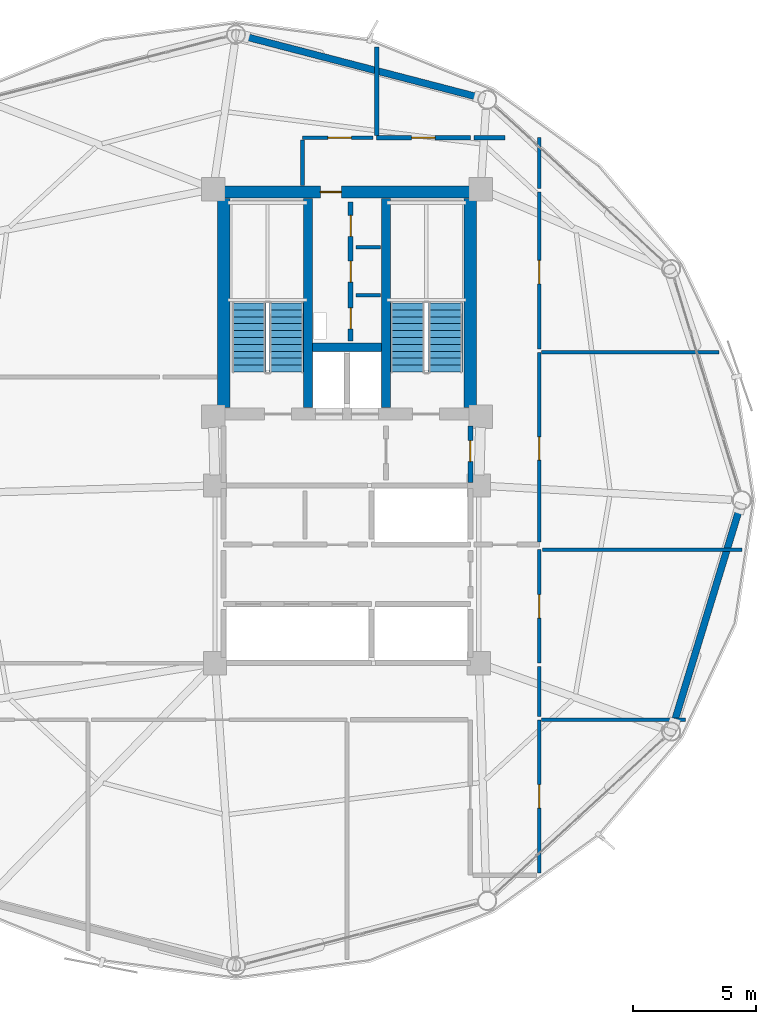
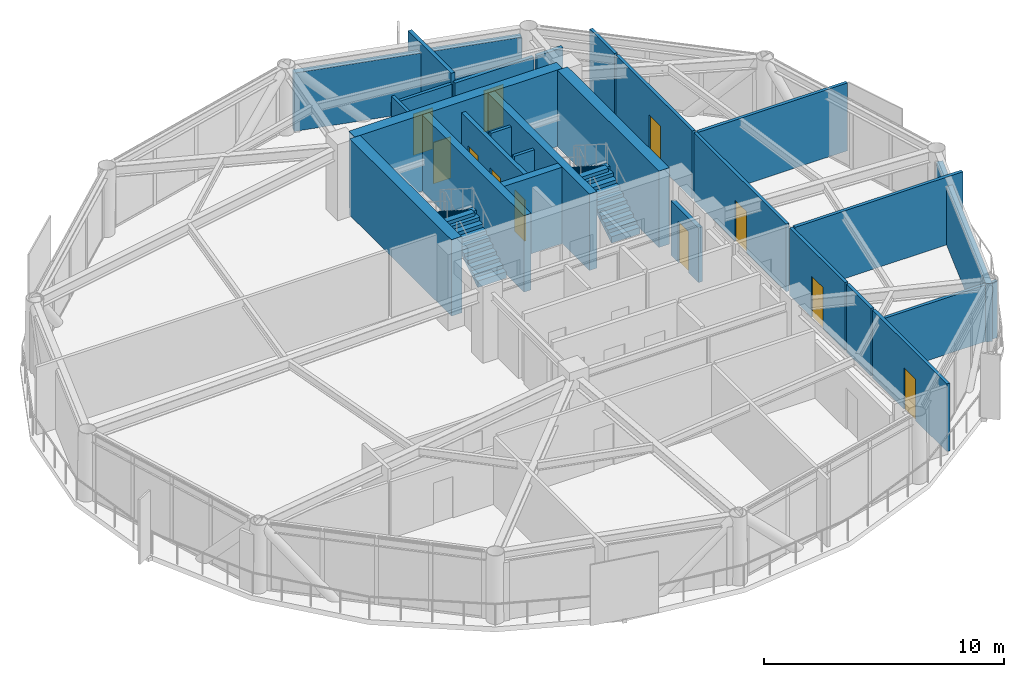
# One storey, part 22 of 26: 26 walls, 11 doors, 4 stair flights, 11 openings, 2 elements without a shape of their own.
"""IFC4 building model written with IfcOpenShell, lengths in metres."""

from ifc_helpers import new_model, si_unit, direction, frame, frame_2d, origin, place, context, subcontext, project, spatial, polyline, rectangle, outline, extrude, material, layer, layer_set, type_object, element, fill, aggregate, save


model = new_model("IFC4")

# Units and contexts
model_context = context("Model", 3, precision=1e-05, world=origin(), true_north=direction((0.0, 1.0)))
body_context = subcontext(model_context, "Body", "Model", "MODEL_VIEW")
ifc_project = project(units=[si_unit("LENGTHUNIT", "METRE"), si_unit("AREAUNIT", "SQUARE_METRE"), si_unit("VOLUMEUNIT", "CUBIC_METRE"), si_unit("PLANEANGLEUNIT", "RADIAN"), si_unit("MASSUNIT", "GRAM", prefix="KILO")], contexts=[model_context])

# Site, building, storey
site_placement = place(None, origin())
site = spatial("IfcSite", under=ifc_project, at=site_placement, CompositionType="ELEMENT")
building_placement = place(site_placement, origin())
building = spatial("IfcBuilding", under=site, at=building_placement, Name="Varnakorn Sky Granary", CompositionType="ELEMENT")
storey_placement = place(building_placement, frame((0.0, 0.0, 165.60009765625)))
storey = spatial("IfcBuildingStorey", under=building, at=storey_placement, Name="L41", CompositionType="ELEMENT", Elevation=165.60009765625)

# Walls
ifc_material_1 = material(Name="Concrete C50/60", Category="concrete")
ifc_layer_1 = layer(ifc_material_1, 0.35009765625, Name="Concrete C50/60")
ifc_layer_set_1 = layer_set([ifc_layer_1], Name="Concrete C50/60")
wall_type_1 = type_object("IfcWallType", Name="WT-CW-INT-350", PredefinedType="SHEAR", material=ifc_layer_set_1)
for number, where, z_axis, x_axis, name in (
    (1, (1.419921875, 3.760009765625, 0.0), (0.0, 0.0, 1.0), (0.0, 1.0, 0.0), "Stair ST-1 Core Wall L41"),
    (2, (4.580078125, 3.760009765625, 0.0), (0.0, 0.0, 1.0), (0.0, 1.0, 0.0), "Stair ST-2 Core Wall L41"),
):
    element("IfcWall", number, at=place(storey_placement, frame(where, z_axis=z_axis, x_axis=x_axis)), inside=storey, type_object=wall_type_1, Name=name, PredefinedType="SHEAR", context=body_context, shape_type="SweptSolid", body=[
        extrude(rectangle(XDim=8.47998046875, YDim=0.35009765625, at=frame_2d((4.239990234375, 0.0))), origin(), (0.0, 0.0, 1.0), 3.891845703125),
    ])
wall_1_placement = place(storey_placement, frame((1.610107421875, 6.199951171875, 0.0), z_axis=(0.0, 0.0, 1.0), x_axis=(1.0, 0.0, 0.0)))
element("IfcWall", 3, at=wall_1_placement, inside=storey, type_object=wall_type_1, Name="Core Lift Shaft Cross Wall L41", PredefinedType="SHEAR", context=body_context, shape_type="SweptSolid", body=[
    extrude(rectangle(XDim=2.77978515625, YDim=0.35009765625, at=frame_2d((1.389892578125, 0.0))), origin(), (0.0, 0.0, 1.0), 3.891845703125),
])

# Wall, opening, door
ifc_material_2 = material(Name="Concrete C60/75", Category="concrete")
ifc_layer_2 = layer(ifc_material_2, 0.5, Name="Concrete C60/75")
ifc_layer_set_2 = layer_set([ifc_layer_2], Name="Concrete C60/75")
wall_type_2 = type_object("IfcWallType", Name="WT-CW-SHEAR-500", PredefinedType="SHEAR", material=ifc_layer_set_2)
wall_2_placement = place(storey_placement, frame((-2.0, 12.5, 0.0), z_axis=(0.0, 0.0, 1.0), x_axis=(1.0, 0.0, 0.0)))
wall_2 = element("IfcWall", 4, at=wall_2_placement, inside=storey, type_object=wall_type_2, Name="Core North Shear Wall L41", PredefinedType="SHEAR", context=body_context, shape_type="SweptSolid", body=[
    extrude(rectangle(XDim=10.0, YDim=0.5, at=frame_2d((5.0, 0.0))), origin(), (0.0, 0.0, 1.0), 3.891845703125),
])
opening_1_placement = place(wall_2_placement, frame((3.919921875, 0.0, 0.0)))
opening_1 = element("IfcOpeningElement", 5, at=opening_1_placement, cuts=wall_2, Name="Opening FD-60N", PredefinedType="OPENING", context=body_context, shape_type="SweptSolid", body=[
    extrude(rectangle(XDim=0.85009765625, YDim=2.10009765625, at=frame_2d((0.425048828125, 1.050048828125))), frame((0.0, 0.260009765625, 0.0), z_axis=(0.0, -1.0, 0.0), x_axis=(1.0, 0.0, 0.0)), (0.0, 0.0, 1.0), 0.52001953125),
])
ifc_material_3 = material(Name="Acoustic Timber Fire Leaf", Category="wood")
door_type_1 = type_object("IfcDoorType", Name="DR-FD60-850", OperationType="NOTDEFINED", PredefinedType="DOOR", material=ifc_material_3)
door_1_placement = place(opening_1_placement, origin())
door_1 = element("IfcDoor", 6, at=door_1_placement, inside=storey, type_object=door_type_1, Name="Core North Service Door L41", OperationType="SINGLE_SWING_LEFT", OverallHeight=2.10009765625, OverallWidth=0.85009765625, PredefinedType="DOOR", context=body_context, shape_type="SweptSolid", body=[
    extrude(rectangle(XDim=0.85009765625, YDim=2.10009765625, at=frame_2d((0.425048828125, 1.050048828125))), frame((0.0, 0.02490234375, 0.0), z_axis=(0.0, -1.0, 0.0), x_axis=(1.0, 0.0, 0.0)), (0.0, 0.0, 1.0), 0.050048828125),
])
fill(opening_1, door_1)

# Walls
for number, where, z_axis, x_axis, name in (
    (7, (-2.0, 3.760009765625, 0.0), (0.0, 0.0, 1.0), (0.0, 1.0, 0.0), "Core West Shear Wall L41"),
    (8, (8.0, 3.760009765625, 0.0), (0.0, 0.0, 1.0), (0.0, 1.0, 0.0), "Core East Shear Wall L41"),
):
    element("IfcWall", number, at=place(storey_placement, frame(where, z_axis=z_axis, x_axis=x_axis)), inside=storey, type_object=wall_type_2, Name=name, PredefinedType="SHEAR", context=body_context, shape_type="SweptSolid", body=[
        extrude(rectangle(XDim=8.47998046875, YDim=0.5, at=frame_2d((4.239990234375, 0.0))), origin(), (0.0, 0.0, 1.0), 3.891845703125),
    ])
ifc_material_4 = material(Name="Precast concrete C40/50", Category="concrete")
ifc_layer_3 = layer(ifc_material_4, 0.280029296875, Name="Precast concrete C40/50")
ifc_layer_set_3 = layer_set([ifc_layer_3], Name="Precast concrete C40/50")
wall_type_3 = type_object("IfcWallType", Name="WT-EW-CRN-280", PredefinedType="SOLIDWALL", material=ifc_layer_set_3)
wall_3_placement = place(storey_placement, frame((-1.1748046875, 18.8134765625, 0.0), z_axis=(0.0, 0.0, 1.0), x_axis=(0.967842287651, -0.251557759242, 0.0)))
element("IfcWall", 9, at=wall_3_placement, inside=storey, type_object=wall_type_3, Name="Agritech Insulated Precast Facade Wall L41-P03", PredefinedType="SOLIDWALL", context=body_context, shape_type="SweptSolid", body=[
    extrude(rectangle(XDim=9.857421875, YDim=0.280029296875, at=frame_2d((4.9287109375, 0.0))), origin(), (0.0, 0.0, 1.0), 2.969970703125),
])
wall_4_placement = place(storey_placement, frame((18.918701171875, -0.3212890625, 0.0), z_axis=(0.0, 0.0, 1.0), x_axis=(-0.292111961986, -0.956384128719, 0.0)))
element("IfcWall", 10, at=wall_4_placement, inside=storey, type_object=wall_type_3, Name="Agritech Insulated Precast Facade Wall L41-P12", PredefinedType="SOLIDWALL", context=body_context, shape_type="SweptSolid", body=[
    extrude(rectangle(XDim=9.137451171875, YDim=0.280029296875, at=frame_2d((4.56884765625, 0.0))), origin(), (0.0, 0.0, 1.0), 2.969970703125),
])

# Wall, openings, doors
ifc_material_5 = material(Name="Autoclaved Aerated Concrete Blockwork", Category="masonry")
ifc_layer_4 = layer(ifc_material_5, 0.199951171875, Name="Autoclaved Aerated Concrete Blockwork")
ifc_layer_set_4 = layer_set([ifc_layer_4], Name="Autoclaved Aerated Concrete Blockwork")
wall_type_4 = type_object("IfcWallType", Name="WT-FIRE-200", PredefinedType="MOVABLE", material=ifc_layer_set_4)
wall_5_placement = place(storey_placement, frame((3.14990234375, 6.449951171875, 0.0), z_axis=(0.0, 0.0, 1.0), x_axis=(0.0, 1.0, 0.0)))
wall_5 = element("IfcWall", 11, at=wall_5_placement, inside=storey, type_object=wall_type_4, Name="Interior Partition Wall L41-013", PredefinedType="MOVABLE", context=body_context, shape_type="SweptSolid", body=[
    extrude(rectangle(XDim=5.650146484375, YDim=0.199951171875, at=frame_2d((2.8251953125, 0.0))), origin(), (0.0, 0.0, 1.0), 3.449951171875),
])
opening_2_placement = place(wall_5_placement, frame((0.5, 0.0, 0.0)))
opening_2 = element("IfcOpeningElement", 12, at=opening_2_placement, cuts=wall_5, Name="Opening FD-60N", PredefinedType="OPENING", context=body_context, shape_type="SweptSolid", body=[
    extrude(rectangle(XDim=0.85009765625, YDim=2.10009765625, at=frame_2d((0.425048828125, 1.050048828125))), frame((0.0, 0.10986328125, 0.0), z_axis=(0.0, -1.0, 0.0), x_axis=(1.0, 0.0, 0.0)), (0.0, 0.0, 1.0), 0.219970703125),
])
opening_3_placement = place(wall_5_placement, frame((2.39990234375, 0.0, 0.0)))
opening_3 = element("IfcOpeningElement", 13, at=opening_3_placement, cuts=wall_5, Name="Opening FD-60N", PredefinedType="OPENING", context=body_context, shape_type="SweptSolid", body=[
    extrude(rectangle(XDim=0.85009765625, YDim=2.10009765625, at=frame_2d((0.425048828125, 1.050048828125))), frame((0.0, 0.10986328125, 0.0), z_axis=(0.0, -1.0, 0.0), x_axis=(1.0, 0.0, 0.0)), (0.0, 0.0, 1.0), 0.219970703125),
])
opening_4_placement = place(wall_5_placement, frame((4.25, 0.0, 0.0)))
opening_4 = element("IfcOpeningElement", 14, at=opening_4_placement, cuts=wall_5, Name="Opening FD-60N", PredefinedType="OPENING", context=body_context, shape_type="SweptSolid", body=[
    extrude(rectangle(XDim=0.85009765625, YDim=2.10009765625, at=frame_2d((0.425048828125, 1.050048828125))), frame((0.0, 0.10986328125, 0.0), z_axis=(0.0, -1.0, 0.0), x_axis=(1.0, 0.0, 0.0)), (0.0, 0.0, 1.0), 0.219970703125),
])
door_2_placement = place(opening_2_placement, origin())
door_2 = element("IfcDoor", 15, at=door_2_placement, inside=storey, type_object=door_type_1, Name="Interior Door L41-013-1", OperationType="SINGLE_SWING_LEFT", OverallHeight=2.10009765625, OverallWidth=0.85009765625, PredefinedType="DOOR", context=body_context, shape_type="SweptSolid", body=[
    extrude(rectangle(XDim=0.85009765625, YDim=2.10009765625, at=frame_2d((0.425048828125, 1.050048828125))), frame((0.0, 0.02490234375, 0.0), z_axis=(0.0, -1.0, 0.0), x_axis=(1.0, 0.0, 0.0)), (0.0, 0.0, 1.0), 0.050048828125),
])
fill(opening_2, door_2)
door_3_placement = place(opening_3_placement, origin())
door_3 = element("IfcDoor", 16, at=door_3_placement, inside=storey, type_object=door_type_1, Name="Interior Door L41-013-2", OperationType="SINGLE_SWING_RIGHT", OverallHeight=2.10009765625, OverallWidth=0.85009765625, PredefinedType="DOOR", context=body_context, shape_type="SweptSolid", body=[
    extrude(rectangle(XDim=0.85009765625, YDim=2.10009765625, at=frame_2d((0.425048828125, 1.050048828125))), frame((0.0, 0.02490234375, 0.0), z_axis=(0.0, -1.0, 0.0), x_axis=(1.0, 0.0, 0.0)), (0.0, 0.0, 1.0), 0.050048828125),
])
fill(opening_3, door_3)
door_4_placement = place(opening_4_placement, origin())
door_4 = element("IfcDoor", 17, at=door_4_placement, inside=storey, type_object=door_type_1, Name="Interior Door L41-013-3", OperationType="SINGLE_SWING_LEFT", OverallHeight=2.10009765625, OverallWidth=0.85009765625, PredefinedType="DOOR", context=body_context, shape_type="SweptSolid", body=[
    extrude(rectangle(XDim=0.85009765625, YDim=2.10009765625, at=frame_2d((0.425048828125, 1.050048828125))), frame((0.0, 0.02490234375, 0.0), z_axis=(0.0, -1.0, 0.0), x_axis=(1.0, 0.0, 0.0)), (0.0, 0.0, 1.0), 0.050048828125),
])
fill(opening_4, door_4)

# Wall, opening, door
wall_6_placement = place(storey_placement, frame((8.0, 0.719970703125, 0.0), z_axis=(0.0, 0.0, 1.0), x_axis=(0.0, 1.0, 0.0)))
wall_6 = element("IfcWall", 18, at=wall_6_placement, inside=storey, type_object=wall_type_4, Name="Interior Partition Wall L41-015", PredefinedType="MOVABLE", context=body_context, shape_type="SweptSolid", body=[
    extrude(rectangle(XDim=2.300048828125, YDim=0.199951171875, at=frame_2d((1.14990234375, 0.0))), origin(), (0.0, 0.0, 1.0), 2.781982421875),
])
opening_5_placement = place(wall_6_placement, frame((0.844970703125, 0.0, 0.0)))
opening_5 = element("IfcOpeningElement", 19, at=opening_5_placement, cuts=wall_6, Name="Opening FD-60N", PredefinedType="OPENING", context=body_context, shape_type="SweptSolid", body=[
    extrude(rectangle(XDim=0.85009765625, YDim=2.10009765625, at=frame_2d((0.425048828125, 1.050048828125))), frame((0.0, 0.10986328125, 0.0), z_axis=(0.0, -1.0, 0.0), x_axis=(1.0, 0.0, 0.0)), (0.0, 0.0, 1.0), 0.219970703125),
])
door_5_placement = place(opening_5_placement, origin())
door_5 = element("IfcDoor", 20, at=door_5_placement, inside=storey, type_object=door_type_1, Name="Interior Door L41-015-1", OperationType="SINGLE_SWING_LEFT", OverallHeight=2.10009765625, OverallWidth=0.85009765625, PredefinedType="DOOR", context=body_context, shape_type="SweptSolid", body=[
    extrude(rectangle(XDim=0.85009765625, YDim=2.10009765625, at=frame_2d((0.425048828125, 1.050048828125))), frame((0.0, 0.02490234375, 0.0), z_axis=(0.0, -1.0, 0.0), x_axis=(1.0, 0.0, 0.0)), (0.0, 0.0, 1.0), 0.050048828125),
])
fill(opening_5, door_5)

ifc_material_6 = material(Name="Gypsum Plasterboard on Steel Stud", Category="steel")
ifc_layer_5 = layer(ifc_material_6, 0.14990234375, Name="Gypsum Plasterboard on Steel Stud")
ifc_layer_set_5 = layer_set([ifc_layer_5], Name="Gypsum Plasterboard on Steel Stud")
wall_type_5 = type_object("IfcWallType", Name="WT-PART-150", PredefinedType="PARTITIONING", material=ifc_layer_set_5)
wall_7_placement = place(storey_placement, frame((10.800048828125, -15.111083984375, 0.0), z_axis=(0.0, 0.0, 1.0), x_axis=(0.0, 1.0, 0.0)))
wall_7 = element("IfcWall", 21, at=wall_7_placement, inside=storey, type_object=wall_type_5, Name="Interior Partition Wall L41-023", PredefinedType="PARTITIONING", context=body_context, shape_type="SweptSolid", body=[
    extrude(rectangle(XDim=6.211181640625, YDim=0.14990234375, at=frame_2d((3.10546875, 0.0))), origin(), (0.0, 0.0, 1.0), 3.449951171875),
])
opening_6_placement = place(wall_7_placement, frame((2.6298828125, 0.0, 0.0)))
opening_6 = element("IfcOpeningElement", 22, at=opening_6_placement, cuts=wall_7, Name="Opening ID-95", PredefinedType="OPENING", context=body_context, shape_type="SweptSolid", body=[
    extrude(rectangle(XDim=0.949951171875, YDim=2.10009765625, at=frame_2d((0.47509765625, 1.050048828125))), frame((0.0, 0.0849609375, 0.0), z_axis=(0.0, -1.0, 0.0), x_axis=(1.0, 0.0, 0.0)), (0.0, 0.0, 1.0), 0.169921875),
])
ifc_material_7 = material(Name="Solid-Core Teak Veneer Leaf", Category="timber")
door_type_2 = type_object("IfcDoorType", Name="DR-INT-950", OperationType="NOTDEFINED", PredefinedType="DOOR", material=ifc_material_7)
door_6_placement = place(opening_6_placement, origin())
door_6 = element("IfcDoor", 23, at=door_6_placement, inside=storey, type_object=door_type_2, Name="Interior Door L41-023-1", OperationType="SINGLE_SWING_RIGHT", OverallHeight=2.10009765625, OverallWidth=0.949951171875, PredefinedType="DOOR", context=body_context, shape_type="SweptSolid", body=[
    extrude(rectangle(XDim=0.949951171875, YDim=2.10009765625, at=frame_2d((0.47509765625, 1.050048828125))), frame((0.0, 0.02490234375, 0.0), z_axis=(0.0, -1.0, 0.0), x_axis=(1.0, 0.0, 0.0)), (0.0, 0.0, 1.0), 0.050048828125),
])
fill(opening_6, door_6)

wall_8_placement = place(storey_placement, frame((4.050048828125, 14.699951171875, 0.0), z_axis=(0.0, 0.0, 1.0), x_axis=(-1.0, 0.0, 0.0)))
wall_8 = element("IfcWall", 24, at=wall_8_placement, inside=storey, type_object=wall_type_5, Name="Interior Partition Wall L41-025", PredefinedType="PARTITIONING", context=body_context, shape_type="SweptSolid", body=[
    extrude(rectangle(XDim=2.85009765625, YDim=0.14990234375, at=frame_2d((1.425048828125, 0.0))), origin(), (0.0, 0.0, 1.0), 3.031982421875),
])
opening_7_placement = place(wall_8_placement, frame((0.875, 0.0, 0.0)))
opening_7 = element("IfcOpeningElement", 25, at=opening_7_placement, cuts=wall_8, Name="Opening ID-95", PredefinedType="OPENING", context=body_context, shape_type="SweptSolid", body=[
    extrude(rectangle(XDim=0.949951171875, YDim=2.10009765625, at=frame_2d((0.47509765625, 1.050048828125))), frame((0.0, 0.0849609375, 0.0), z_axis=(0.0, -1.0, 0.0), x_axis=(1.0, 0.0, 0.0)), (0.0, 0.0, 1.0), 0.169921875),
])
door_7_placement = place(opening_7_placement, origin())
door_7 = element("IfcDoor", 26, at=door_7_placement, inside=storey, type_object=door_type_2, Name="Interior Door L41-025-1", OperationType="SINGLE_SWING_RIGHT", OverallHeight=2.10009765625, OverallWidth=0.949951171875, PredefinedType="DOOR", context=body_context, shape_type="SweptSolid", body=[
    extrude(rectangle(XDim=0.949951171875, YDim=2.10009765625, at=frame_2d((0.47509765625, 1.050048828125))), frame((0.0, 0.02490234375, 0.0), z_axis=(0.0, -1.0, 0.0), x_axis=(1.0, 0.0, 0.0)), (0.0, 0.0, 1.0), 0.050048828125),
])
fill(opening_7, door_7)

wall_9_placement = place(storey_placement, frame((10.800048828125, -6.60009765625, 0.0), z_axis=(0.0, 0.0, 1.0), x_axis=(0.0, 1.0, 0.0)))
wall_9 = element("IfcWall", 27, at=wall_9_placement, inside=storey, type_object=wall_type_5, Name="Interior Partition Wall L41-026", PredefinedType="PARTITIONING", context=body_context, shape_type="SweptSolid", body=[
    extrude(rectangle(XDim=4.60009765625, YDim=0.14990234375, at=frame_2d((2.300048828125, 0.0))), origin(), (0.0, 0.0, 1.0), 3.449951171875),
])
opening_8_placement = place(wall_9_placement, frame((1.824951171875, 0.0, 0.0)))
opening_8 = element("IfcOpeningElement", 28, at=opening_8_placement, cuts=wall_9, Name="Opening ID-95", PredefinedType="OPENING", context=body_context, shape_type="SweptSolid", body=[
    extrude(rectangle(XDim=0.949951171875, YDim=2.10009765625, at=frame_2d((0.47509765625, 1.050048828125))), frame((0.0, 0.0849609375, 0.0), z_axis=(0.0, -1.0, 0.0), x_axis=(1.0, 0.0, 0.0)), (0.0, 0.0, 1.0), 0.169921875),
])
door_8_placement = place(opening_8_placement, origin())
door_8 = element("IfcDoor", 29, at=door_8_placement, inside=storey, type_object=door_type_2, Name="Interior Door L41-026-1", OperationType="SINGLE_SWING_LEFT", OverallHeight=2.10009765625, OverallWidth=0.949951171875, PredefinedType="DOOR", context=body_context, shape_type="SweptSolid", body=[
    extrude(rectangle(XDim=0.949951171875, YDim=2.10009765625, at=frame_2d((0.47509765625, 1.050048828125))), frame((0.0, 0.02490234375, 0.0), z_axis=(0.0, -1.0, 0.0), x_axis=(1.0, 0.0, 0.0)), (0.0, 0.0, 1.0), 0.050048828125),
])
fill(opening_8, door_8)

wall_10_placement = place(storey_placement, frame((10.800048828125, -1.68994140625, 0.0), z_axis=(0.0, 0.0, 1.0), x_axis=(0.0, 1.0, 0.0)))
wall_10 = element("IfcWall", 30, at=wall_10_placement, inside=storey, type_object=wall_type_5, Name="Interior Partition Wall L41-027", PredefinedType="PARTITIONING", context=body_context, shape_type="SweptSolid", body=[
    extrude(rectangle(XDim=7.68994140625, YDim=0.14990234375, at=frame_2d((3.844970703125, 0.0))), origin(), (0.0, 0.0, 1.0), 3.449951171875),
])
opening_9_placement = place(wall_10_placement, frame((3.31494140625, 0.0, 0.0)))
opening_9 = element("IfcOpeningElement", 31, at=opening_9_placement, cuts=wall_10, Name="Opening ID-95", PredefinedType="OPENING", context=body_context, shape_type="SweptSolid", body=[
    extrude(rectangle(XDim=0.949951171875, YDim=2.10009765625, at=frame_2d((0.47509765625, 1.050048828125))), frame((0.0, 0.0849609375, 0.0), z_axis=(0.0, -1.0, 0.0), x_axis=(1.0, 0.0, 0.0)), (0.0, 0.0, 1.0), 0.169921875),
])
door_9_placement = place(opening_9_placement, origin())
door_9 = element("IfcDoor", 32, at=door_9_placement, inside=storey, type_object=door_type_2, Name="Interior Door L41-027-1", OperationType="SINGLE_SWING_RIGHT", OverallHeight=2.10009765625, OverallWidth=0.949951171875, PredefinedType="DOOR", context=body_context, shape_type="SweptSolid", body=[
    extrude(rectangle(XDim=0.949951171875, YDim=2.10009765625, at=frame_2d((0.47509765625, 1.050048828125))), frame((0.0, 0.02490234375, 0.0), z_axis=(0.0, -1.0, 0.0), x_axis=(1.0, 0.0, 0.0)), (0.0, 0.0, 1.0), 0.050048828125),
])
fill(opening_9, door_9)

wall_11_placement = place(storey_placement, frame((10.800048828125, 6.135009765625, 0.0), z_axis=(0.0, 0.0, 1.0), x_axis=(0.0, 1.0, 0.0)))
wall_11 = element("IfcWall", 33, at=wall_11_placement, inside=storey, type_object=wall_type_5, Name="Interior Partition Wall L41-028", PredefinedType="PARTITIONING", context=body_context, shape_type="SweptSolid", body=[
    extrude(rectangle(XDim=6.364990234375, YDim=0.14990234375, at=frame_2d((3.1826171875, 0.0))), origin(), (0.0, 0.0, 1.0), 3.449951171875),
])
opening_10_placement = place(wall_11_placement, frame((2.639892578125, 0.0, 0.0)))
opening_10 = element("IfcOpeningElement", 34, at=opening_10_placement, cuts=wall_11, Name="Opening ID-95", PredefinedType="OPENING", context=body_context, shape_type="SweptSolid", body=[
    extrude(rectangle(XDim=0.949951171875, YDim=2.10009765625, at=frame_2d((0.47509765625, 1.050048828125))), frame((0.0, 0.0849609375, 0.0), z_axis=(0.0, -1.0, 0.0), x_axis=(1.0, 0.0, 0.0)), (0.0, 0.0, 1.0), 0.169921875),
])
door_10_placement = place(opening_10_placement, origin())
door_10 = element("IfcDoor", 35, at=door_10_placement, inside=storey, type_object=door_type_2, Name="Interior Door L41-028-1", OperationType="SINGLE_SWING_LEFT", OverallHeight=2.10009765625, OverallWidth=0.949951171875, PredefinedType="DOOR", context=body_context, shape_type="SweptSolid", body=[
    extrude(rectangle(XDim=0.949951171875, YDim=2.10009765625, at=frame_2d((0.47509765625, 1.050048828125))), frame((0.0, 0.02490234375, 0.0), z_axis=(0.0, -1.0, 0.0), x_axis=(1.0, 0.0, 0.0)), (0.0, 0.0, 1.0), 0.050048828125),
])
fill(opening_10, door_10)

# Walls
for number, where, z_axis, x_axis, name in (
    (36, (3.3701171875, 8.320068359375, 0.0), (0.0, 0.0, 1.0), (1.0, 0.0, 0.0), "Interior Partition Wall L41-029"),
    (37, (3.3701171875, 10.260009765625, 0.0), (0.0, 0.0, 1.0), (1.0, 0.0, 0.0), "Interior Partition Wall L41-030"),
):
    element("IfcWall", number, at=place(storey_placement, frame(where, z_axis=z_axis, x_axis=x_axis)), inside=storey, type_object=wall_type_5, Name=name, PredefinedType="PARTITIONING", context=body_context, shape_type="SweptSolid", body=[
        extrude(rectangle(XDim=0.97998046875, YDim=0.14990234375, at=frame_2d((0.489990234375, 0.0))), origin(), (0.0, 0.0, 1.0), 3.449951171875),
    ])
wall_12_placement = place(storey_placement, frame((10.885009765625, -8.89990234375, 0.0), z_axis=(0.0, 0.0, 1.0), x_axis=(1.0, 0.0, 0.0)))
element("IfcWall", 38, at=wall_12_placement, inside=storey, type_object=wall_type_5, Name="Interior Partition Wall L41-043", PredefinedType="PARTITIONING", context=body_context, shape_type="SweptSolid", body=[
    extrude(rectangle(XDim=5.833984375, YDim=0.14990234375, at=frame_2d((2.9169921875, 0.0))), origin(), (0.0, 0.0, 1.0), 2.8818359375),
])
wall_13_placement = place(storey_placement, frame((1.199951171875, 14.614990234375, 0.0), z_axis=(0.0, 0.0, 1.0), x_axis=(0.0, -1.0, 0.0)))
element("IfcWall", 39, at=wall_13_placement, inside=storey, type_object=wall_type_5, Name="Interior Partition Wall L41-047", PredefinedType="PARTITIONING", context=body_context, shape_type="SweptSolid", body=[
    extrude(rectangle(XDim=1.85498046875, YDim=0.14990234375, at=frame_2d((0.927490234375, 0.0))), origin(), (0.0, 0.0, 1.0), 3.449951171875),
])
wall_14_placement = place(storey_placement, frame((10.800048828125, -8.764892578125, 0.0), z_axis=(0.0, 0.0, 1.0), x_axis=(0.0, 1.0, 0.0)))
element("IfcWall", 40, at=wall_14_placement, inside=storey, type_object=wall_type_5, Name="Interior Partition Wall L41-049", PredefinedType="PARTITIONING", context=body_context, shape_type="SweptSolid", body=[
    extrude(rectangle(XDim=2.02978515625, YDim=0.14990234375, at=frame_2d((1.014892578125, 0.0))), origin(), (0.0, 0.0, 1.0), 3.449951171875),
])
wall_15_placement = place(storey_placement, frame((10.93505859375, -2.0, 0.0), z_axis=(0.0, 0.0, 1.0), x_axis=(1.0, 0.0, 0.0)))
element("IfcWall", 41, at=wall_15_placement, inside=storey, type_object=wall_type_5, Name="Interior Partition Wall L41-050", PredefinedType="PARTITIONING", context=body_context, shape_type="SweptSolid", body=[
    extrude(rectangle(XDim=8.087890625, YDim=0.14990234375, at=frame_2d((4.0439453125, 0.0))), origin(), (0.0, 0.0, 1.0), 3.449951171875),
])
wall_16_placement = place(storey_placement, frame((10.885009765625, 6.0, 0.0), z_axis=(0.0, 0.0, 1.0), x_axis=(1.0, 0.0, 0.0)))
element("IfcWall", 42, at=wall_16_placement, inside=storey, type_object=wall_type_5, Name="Interior Partition Wall L41-051", PredefinedType="PARTITIONING", context=body_context, shape_type="SweptSolid", body=[
    extrude(rectangle(XDim=7.198974609375, YDim=0.14990234375, at=frame_2d((3.599609375, 0.0))), origin(), (0.0, 0.0, 1.0), 3.449951171875),
])
wall_17_placement = place(storey_placement, frame((10.800048828125, 12.635009765625, 0.0), z_axis=(0.0, 0.0, 1.0), x_axis=(0.0, 1.0, 0.0)))
element("IfcWall", 43, at=wall_17_placement, inside=storey, type_object=wall_type_5, Name="Interior Partition Wall L41-052", PredefinedType="PARTITIONING", context=body_context, shape_type="SweptSolid", body=[
    extrude(rectangle(XDim=2.06494140625, YDim=0.14990234375, at=frame_2d((1.032470703125, 0.0))), origin(), (0.0, 0.0, 1.0), 3.449951171875),
])

# Wall, opening, door
ifc_material_8 = material(Name="Moisture-Resistant Gypsum on Stud", Category="gypsum")
ifc_layer_6 = layer(ifc_material_8, 0.179931640625, Name="Moisture-Resistant Gypsum on Stud")
ifc_layer_set_6 = layer_set([ifc_layer_6], Name="Moisture-Resistant Gypsum on Stud")
wall_type_6 = type_object("IfcWallType", Name="WT-PLUMB-180", PredefinedType="PLUMBINGWALL", material=ifc_layer_set_6)
wall_18_placement = place(storey_placement, frame((8.0, 14.699951171875, 0.0), z_axis=(0.0, 0.0, 1.0), x_axis=(-1.0, 0.0, 0.0)))
wall_18 = element("IfcWall", 44, at=wall_18_placement, inside=storey, type_object=wall_type_6, Name="Interior Partition Wall L41-019", PredefinedType="PLUMBINGWALL", context=body_context, shape_type="SweptSolid", body=[
    extrude(rectangle(XDim=3.800048828125, YDim=0.179931640625, at=frame_2d((1.89990234375, 0.0))), origin(), (0.0, 0.0, 1.0), 3.031982421875),
])
opening_11_placement = place(wall_18_placement, frame((1.425048828125, 0.0, 0.0)))
opening_11 = element("IfcOpeningElement", 45, at=opening_11_placement, cuts=wall_18, Name="Opening ID-95", PredefinedType="OPENING", context=body_context, shape_type="SweptSolid", body=[
    extrude(rectangle(XDim=0.949951171875, YDim=2.10009765625, at=frame_2d((0.47509765625, 1.050048828125))), frame((0.0, 0.10009765625, 0.0), z_axis=(0.0, -1.0, 0.0), x_axis=(1.0, 0.0, 0.0)), (0.0, 0.0, 1.0), 0.199951171875),
])
door_11_placement = place(opening_11_placement, origin())
door_11 = element("IfcDoor", 46, at=door_11_placement, inside=storey, type_object=door_type_2, Name="Interior Door L41-019-1", OperationType="SINGLE_SWING_RIGHT", OverallHeight=2.10009765625, OverallWidth=0.949951171875, PredefinedType="DOOR", context=body_context, shape_type="SweptSolid", body=[
    extrude(rectangle(XDim=0.949951171875, YDim=2.10009765625, at=frame_2d((0.47509765625, 1.050048828125))), frame((0.0, 0.02490234375, 0.0), z_axis=(0.0, -1.0, 0.0), x_axis=(1.0, 0.0, 0.0)), (0.0, 0.0, 1.0), 0.050048828125),
])
fill(opening_11, door_11)

# Walls
wall_19_placement = place(storey_placement, frame((9.39990234375, 14.699951171875, 0.0), z_axis=(0.0, 0.0, 1.0), x_axis=(-1.0, 0.0, 0.0)))
element("IfcWall", 47, at=wall_19_placement, inside=storey, type_object=wall_type_6, Name="Interior Partition Wall L41-036", PredefinedType="PLUMBINGWALL", context=body_context, shape_type="SweptSolid", body=[
    extrude(rectangle(XDim=1.25, YDim=0.179931640625, at=frame_2d((0.625, 0.0))), origin(), (0.0, 0.0, 1.0), 3.031982421875),
])
wall_20_placement = place(storey_placement, frame((4.199951171875, 18.381103515625, 0.0), z_axis=(0.0, 0.0, 1.0), x_axis=(0.0, -1.0, 0.0)))
element("IfcWall", 48, at=wall_20_placement, inside=storey, type_object=wall_type_6, Name="Interior Partition Wall L41-048", PredefinedType="PLUMBINGWALL", context=body_context, shape_type="SweptSolid", body=[
    extrude(rectangle(XDim=3.5810546875, YDim=0.179931640625, at=frame_2d((1.79052734375, 0.0))), origin(), (0.0, 0.0, 1.0), 3.449951171875),
])

# Stair, stair flights
ifc_material_9 = material(Name="Concrete C40/50", Category="concrete")
stair_type = type_object("IfcStairType", Name="ST-MAIN-ASSEMBLY", PredefinedType="HALF_TURN_STAIR", material=ifc_material_9)
stair_1_placement = place(storey_placement, origin())
stair_1 = element("IfcStair", 49, at=stair_1_placement, inside=storey, type_object=stair_type, Name="L41 Protected Exit Stair ST-1", PredefinedType="HALF_TURN_STAIR")
stair_flight_type = type_object("IfcStairFlightType", Name="ST-MAIN-FLIGHT", PredefinedType="STRAIGHT", material=ifc_material_9)
stair_flight_1_placement = place(storey_placement, frame((0.550048828125, 5.199951171875, 0.0), z_axis=(0.0, 0.0, 1.0), x_axis=(0.0, 1.0, 0.0)))
stair_flight_1 = element("IfcStairFlight", 50, at=stair_flight_1_placement, type_object=stair_flight_type, Name="ST-1 flight 1", NumberOfRisers=11, NumberOfTreads=10, PredefinedType="STRAIGHT", RiserHeight=0.177272727, TreadLength=0.28, context=body_context, shape_type="SweptSolid", body=[
    extrude(outline(polyline([(0.0, -0.14990234375), (0.0, 0.0), (0.0, 0.17724609375), (0.280029296875, 0.17724609375), (0.280029296875, 0.3544921875), (0.56005859375, 0.3544921875), (0.56005859375, 0.53173828125), (0.840087890625, 0.53173828125), (0.840087890625, 0.708984375), (1.1201171875, 0.708984375), (1.1201171875, 0.886474609375), (1.39990234375, 0.886474609375), (1.39990234375, 1.063720703125), (1.679931640625, 1.063720703125), (1.679931640625, 1.240966796875), (1.9599609375, 1.240966796875), (1.9599609375, 1.418212890625), (2.239990234375, 1.418212890625), (2.239990234375, 1.595458984375), (2.52001953125, 1.595458984375), (2.52001953125, 1.772705078125), (2.800048828125, 1.772705078125), (2.800048828125, 1.949951171875), (2.800048828125, 1.59521484375), (0.050048828125, -0.14990234375), (0.0, -0.14990234375)])), frame((0.0, 0.68994140625, 0.0), z_axis=(0.0, -1.0, 0.0), x_axis=(1.0, 0.0, 0.0)), (0.0, 0.0, 1.0), 1.3798828125),
])
stair_flight_2_placement = place(storey_placement, frame((-0.97998046875, 8.0, 1.949951171875), z_axis=(0.0, 0.0, 1.0), x_axis=(0.0, -1.0, 0.0)))
stair_flight_2 = element("IfcStairFlight", 51, at=stair_flight_2_placement, type_object=stair_flight_type, Name="ST-1 flight 2", NumberOfRisers=11, NumberOfTreads=10, PredefinedType="STRAIGHT", RiserHeight=0.177272727, TreadLength=0.28, context=body_context, shape_type="SweptSolid", body=[
    extrude(outline(polyline([(0.0, -0.14990234375), (0.0, 0.0), (0.0, 0.17724609375), (0.280029296875, 0.17724609375), (0.280029296875, 0.3544921875), (0.56005859375, 0.3544921875), (0.56005859375, 0.53173828125), (0.840087890625, 0.53173828125), (0.840087890625, 0.708984375), (1.1201171875, 0.708984375), (1.1201171875, 0.886474609375), (1.39990234375, 0.886474609375), (1.39990234375, 1.063720703125), (1.679931640625, 1.063720703125), (1.679931640625, 1.240966796875), (1.9599609375, 1.240966796875), (1.9599609375, 1.418212890625), (2.239990234375, 1.418212890625), (2.239990234375, 1.595458984375), (2.52001953125, 1.595458984375), (2.52001953125, 1.772705078125), (2.800048828125, 1.772705078125), (2.800048828125, 1.949951171875), (2.800048828125, 1.59521484375), (0.050048828125, -0.14990234375), (0.0, -0.14990234375)])), frame((0.0, 0.68994140625, 0.0), z_axis=(0.0, -1.0, 0.0), x_axis=(1.0, 0.0, 0.0)), (0.0, 0.0, 1.0), 1.3798828125),
])
aggregate(stair_1, [stair_flight_1, stair_flight_2])

stair_2_placement = place(storey_placement, origin())
stair_2 = element("IfcStair", 52, at=stair_2_placement, inside=storey, type_object=stair_type, Name="L41 Protected Exit Stair ST-2", PredefinedType="HALF_TURN_STAIR")
stair_flight_3_placement = place(storey_placement, frame((6.989990234375, 5.199951171875, 0.0), z_axis=(0.0, 0.0, 1.0), x_axis=(0.0, 1.0, 0.0)))
stair_flight_3 = element("IfcStairFlight", 53, at=stair_flight_3_placement, type_object=stair_flight_type, Name="ST-2 flight 1", NumberOfRisers=11, NumberOfTreads=10, PredefinedType="STRAIGHT", RiserHeight=0.177272727, TreadLength=0.28, context=body_context, shape_type="SweptSolid", body=[
    extrude(outline(polyline([(0.0, -0.14990234375), (0.0, 0.0), (0.0, 0.17724609375), (0.280029296875, 0.17724609375), (0.280029296875, 0.3544921875), (0.56005859375, 0.3544921875), (0.56005859375, 0.53173828125), (0.840087890625, 0.53173828125), (0.840087890625, 0.708984375), (1.1201171875, 0.708984375), (1.1201171875, 0.886474609375), (1.39990234375, 0.886474609375), (1.39990234375, 1.063720703125), (1.679931640625, 1.063720703125), (1.679931640625, 1.240966796875), (1.9599609375, 1.240966796875), (1.9599609375, 1.418212890625), (2.239990234375, 1.418212890625), (2.239990234375, 1.595458984375), (2.52001953125, 1.595458984375), (2.52001953125, 1.772705078125), (2.800048828125, 1.772705078125), (2.800048828125, 1.949951171875), (2.800048828125, 1.59521484375), (0.050048828125, -0.14990234375), (0.0, -0.14990234375)])), frame((0.0, 0.68994140625, 0.0), z_axis=(0.0, -1.0, 0.0), x_axis=(1.0, 0.0, 0.0)), (0.0, 0.0, 1.0), 1.3798828125),
])
stair_flight_4_placement = place(storey_placement, frame((5.4599609375, 8.0, 1.949951171875), z_axis=(0.0, 0.0, 1.0), x_axis=(0.0, -1.0, 0.0)))
stair_flight_4 = element("IfcStairFlight", 54, at=stair_flight_4_placement, type_object=stair_flight_type, Name="ST-2 flight 2", NumberOfRisers=11, NumberOfTreads=10, PredefinedType="STRAIGHT", RiserHeight=0.177272727, TreadLength=0.28, context=body_context, shape_type="SweptSolid", body=[
    extrude(outline(polyline([(0.0, -0.14990234375), (0.0, 0.0), (0.0, 0.17724609375), (0.280029296875, 0.17724609375), (0.280029296875, 0.3544921875), (0.56005859375, 0.3544921875), (0.56005859375, 0.53173828125), (0.840087890625, 0.53173828125), (0.840087890625, 0.708984375), (1.1201171875, 0.708984375), (1.1201171875, 0.886474609375), (1.39990234375, 0.886474609375), (1.39990234375, 1.063720703125), (1.679931640625, 1.063720703125), (1.679931640625, 1.240966796875), (1.9599609375, 1.240966796875), (1.9599609375, 1.418212890625), (2.239990234375, 1.418212890625), (2.239990234375, 1.595458984375), (2.52001953125, 1.595458984375), (2.52001953125, 1.772705078125), (2.800048828125, 1.772705078125), (2.800048828125, 1.949951171875), (2.800048828125, 1.59521484375), (0.050048828125, -0.14990234375), (0.0, -0.14990234375)])), frame((0.0, 0.68994140625, 0.0), z_axis=(0.0, -1.0, 0.0), x_axis=(1.0, 0.0, 0.0)), (0.0, 0.0, 1.0), 1.3798828125),
])
aggregate(stair_2, [stair_flight_3, stair_flight_4])

save(model, "model.ifc")
